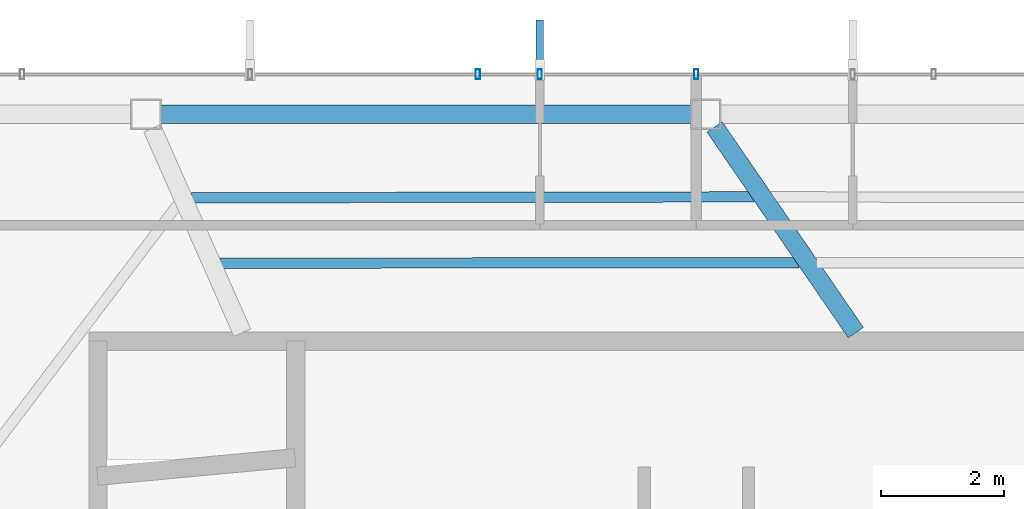
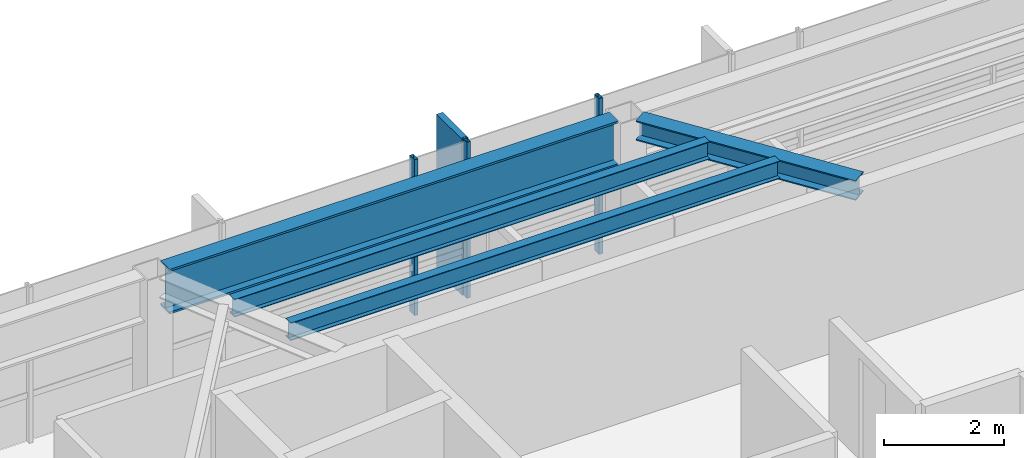
# One storey, part 12 of 24: 4 beams, 4 members, 1 element without a shape of its own.
"""IFC4 building model written with IfcOpenShell, lengths in metres."""

from ifc_helpers import new_model, si_unit, direction, frame, origin, origin_2d, place, context, subcontext, project, spatial, rectangle, hollow_rectangle, i_section, extrude, material, layer, layer_set, material_profile, profile_set, type_object, element, aggregate, save


model = new_model("IFC4")

# Units and contexts
model_context = context("Model", 3, precision=1e-05, world=origin(), true_north=direction((0.0, 1.0)))
body_context = subcontext(model_context, "Body", "Model", "MODEL_VIEW")
ifc_project = project(units=[si_unit("LENGTHUNIT", "METRE"), si_unit("AREAUNIT", "SQUARE_METRE"), si_unit("VOLUMEUNIT", "CUBIC_METRE"), si_unit("PLANEANGLEUNIT", "RADIAN"), si_unit("MASSUNIT", "GRAM", prefix="KILO")], contexts=[model_context])

# Site, building, storey
site_placement = place(None, origin())
site = spatial("IfcSite", under=ifc_project, at=site_placement, CompositionType="ELEMENT")
building_placement = place(site_placement, origin())
building = spatial("IfcBuilding", under=site, at=building_placement, Name="Zarrinselat Tower", CompositionType="ELEMENT")
storey_placement = place(building_placement, frame((0.0, 0.0, 272.0)))
storey = spatial("IfcBuildingStorey", under=building, at=storey_placement, Name="L69", CompositionType="ELEMENT", Elevation=272.0)

# Beams
ifc_material_1 = material(Name="Steel S355J2", Category="steel")
ifc_material_profile_1 = material_profile(ifc_material_1, i_section(OverallWidth=0.300048828125, OverallDepth=0.39990234375, WebThickness=0.013427734375, FlangeThickness=0.02392578125, at=origin_2d()), Name="HEB 400")
ifc_profile_set_1 = profile_set([ifc_material_profile_1], Name="Steel S355J2")
beam_type_1 = type_object("IfcBeamType", Name="BM-HEB400", PredefinedType="BEAM", material=ifc_profile_set_1)
beam_1_placement = place(storey_placement, frame((38.697998046875, 46.892333984375, 2.97998046875), z_axis=(0.566077752781, -0.824351853159, 0.0), x_axis=(0.824351853159, 0.566077752781, 0.0)))
element("IfcBeam", 1, at=beam_1_placement, inside=storey, type_object=beam_type_1, Name="L69 Radial Primary Girder RG03", PredefinedType="BEAM", context=body_context, shape_type="SweptSolid", body=[
    extrude(i_section(OverallWidth=0.300048828125, OverallDepth=0.39990234375, WebThickness=0.013427734375, FlangeThickness=0.02392578125, at=origin_2d()), origin(), (0.0, 0.0, 1.0), 4.066650390625),
])
ifc_material_2 = material(Name="Steel S460M", Category="steel")
ifc_material_profile_2 = material_profile(ifc_material_2, i_section(OverallWidth=0.302001953125, OverallDepth=0.909912109375, WebThickness=0.02099609375, FlangeThickness=0.0400390625, at=origin_2d()), Name="HEM 900")
ifc_profile_set_2 = profile_set([ifc_material_profile_2], Name="Steel S460M")
beam_type_2 = type_object("IfcBeamType", Name="BM-HEM900", PredefinedType="BEAM", material=ifc_profile_set_2)
beam_2_placement = place(storey_placement, frame((29.669189453125, 47.10009765625, 2.72509765625), z_axis=(1.0, 0.0, 0.0), x_axis=(0.0, 1.0, 0.0)))
element("IfcBeam", 2, at=beam_2_placement, inside=storey, type_object=beam_type_2, Name="L69 Perimeter Spandrel Girder SP03", PredefinedType="BEAM", context=body_context, shape_type="SweptSolid", body=[
    extrude(i_section(OverallWidth=0.302001953125, OverallDepth=0.909912109375, WebThickness=0.02099609375, FlangeThickness=0.0400390625, at=origin_2d()), origin(), (0.0, 0.0, 1.0), 8.648193359375),
])
ifc_material_3 = material(Name="Steel S355J2", Category="steel")
ifc_material_profile_3 = material_profile(ifc_material_3, i_section(OverallWidth=0.169921875, OverallDepth=0.360107421875, WebThickness=0.008056640625, FlangeThickness=0.0126953125, at=origin_2d()), Name="IPE 360")
ifc_profile_set_3 = profile_set([ifc_material_profile_3], Name="Steel S355J2")
beam_type_3 = type_object("IfcBeamType", Name="BM-IPE360", PredefinedType="JOIST", material=ifc_profile_set_3)
beam_3_placement = place(storey_placement, frame((30.171630859375, 45.737548828125, 3.0), z_axis=(0.999998723885, 0.001597569652, 0.0), x_axis=(-0.001597569652, 0.999998723885, 0.0)))
element("IfcBeam", 3, at=beam_3_placement, inside=storey, type_object=beam_type_3, Name="L69 Composite Floor Joist 8-1", PredefinedType="JOIST", context=body_context, shape_type="SweptSolid", body=[
    extrude(i_section(OverallWidth=0.169921875, OverallDepth=0.360107421875, WebThickness=0.008056640625, FlangeThickness=0.0126953125, at=origin_2d()), origin(), (0.0, 0.0, 1.0), 9.169189453125),
])
beam_4_placement = place(storey_placement, frame((30.64111328125, 44.672119140625, 3.0), z_axis=(0.999999678359, 0.000802048848, 0.0), x_axis=(-0.000802048848, 0.999999678359, 0.0)))
element("IfcBeam", 4, at=beam_4_placement, inside=storey, type_object=beam_type_3, Name="L69 Composite Floor Joist 8-2", PredefinedType="JOIST", context=body_context, shape_type="SweptSolid", body=[
    extrude(i_section(OverallWidth=0.169921875, OverallDepth=0.360107421875, WebThickness=0.008056640625, FlangeThickness=0.0126953125, at=origin_2d()), origin(), (0.0, 0.0, 1.0), 9.436279296875),
])

# Curtain wall, members
ifc_material_4 = material(Name="Extruded Aluminium Alloy EN AW-6063 T6", Category="aluminium")
ifc_layer = layer(ifc_material_4, 0.169921875)
ifc_layer_set = layer_set([ifc_layer], Name="Extruded Aluminium Alloy EN AW-6063 T6")
curtain_wall_type = type_object("IfcCurtainWallType", Name="CWS-RES", PredefinedType="NOTDEFINED", material=ifc_layer_set)
curtain_wall_placement = place(storey_placement, origin())
curtain_wall = element("IfcCurtainWall", 5, at=curtain_wall_placement, inside=storey, type_object=curtain_wall_type, Name="L69 Unitised Curtain Wall CW-L69-E01", PredefinedType="NOTDEFINED")
ifc_material_5 = material(Name="Extruded Aluminium Alloy EN AW-6063 T6", Category="aluminium")
ifc_material_profile_4 = material_profile(ifc_material_5, hollow_rectangle(XDim=0.070068359375, YDim=0.159912109375, WallThickness=0.00390625, at=origin_2d()), Name="RHS 160x70x4")
ifc_profile_set_4 = profile_set([ifc_material_profile_4], Name="Extruded Aluminium Alloy EN AW-6063 T6")
member_type_1 = type_object("IfcMemberType", Name="MEM-CW-MUL2", PredefinedType="MULLION", material=ifc_profile_set_4)
member_1_placement = place(storey_placement, frame((38.39990234375, 47.75, 0.0), z_axis=(0.0, 0.0, 1.0), x_axis=(-1.0, 0.0, 0.0)))
member_1 = element("IfcMember", 6, at=member_1_placement, type_object=member_type_1, Name="CW-L69-E01 Mullion 6", PredefinedType="MULLION", context=body_context, shape_type="SweptSolid", body=[
    extrude(hollow_rectangle(XDim=0.070068359375, YDim=0.159912109375, WallThickness=0.00390625, at=origin_2d()), origin(), (0.0, 0.0, 1.0), 3.179931640625),
])
member_2_placement = place(storey_placement, frame((35.85009765625, 47.75, 0.0), z_axis=(0.0, 0.0, 1.0), x_axis=(-1.0, 0.0, 0.0)))
member_2 = element("IfcMember", 7, at=member_2_placement, type_object=member_type_1, Name="CW-L69-E01 Mullion 7", PredefinedType="MULLION", context=body_context, shape_type="SweptSolid", body=[
    extrude(hollow_rectangle(XDim=0.070068359375, YDim=0.159912109375, WallThickness=0.00390625, at=origin_2d()), origin(), (0.0, 0.0, 1.0), 3.179931640625),
])
member_3_placement = place(storey_placement, frame((34.8408203125, 47.75, 0.0), z_axis=(0.0, 0.0, 1.0), x_axis=(-1.0, 0.0, 0.0)))
member_3 = element("IfcMember", 8, at=member_3_placement, type_object=member_type_1, Name="CW-L69-E01 Mullion 8", PredefinedType="MULLION", context=body_context, shape_type="SweptSolid", body=[
    extrude(hollow_rectangle(XDim=0.070068359375, YDim=0.159912109375, WallThickness=0.00390625, at=origin_2d()), origin(), (0.0, 0.0, 1.0), 3.179931640625),
])
ifc_material_6 = material(Name="Honed Cream Travertine Stone", Category="masonry")
ifc_material_profile_5 = material_profile(ifc_material_6, rectangle(XDim=0.1201171875, YDim=0.85009765625, at=origin_2d()), Name="FIN 850x120")
ifc_profile_set_5 = profile_set([ifc_material_profile_5], Name="Honed Cream Travertine Stone")
member_type_2 = type_object("IfcMemberType", Name="MEM-STONE-FIN", PredefinedType="USERDEFINED", material=ifc_profile_set_5)
member_4_placement = place(storey_placement, frame((35.85009765625, 48.2099609375, 0.0), z_axis=(0.0, 0.0, 1.0), x_axis=(1.0, 0.0, 0.0)))
member_4 = element("IfcMember", 9, at=member_4_placement, type_object=member_type_2, Name="L69 Stone Shading Fin CW-L69-E01-07", ObjectType="FIN", PredefinedType="USERDEFINED", context=body_context, shape_type="SweptSolid", body=[
    extrude(rectangle(XDim=0.1201171875, YDim=0.85009765625, at=origin_2d()), origin(), (0.0, 0.0, 1.0), 3.179931640625),
])
aggregate(curtain_wall, [member_1, member_2, member_4, member_3])

save(model, "model.ifc")
